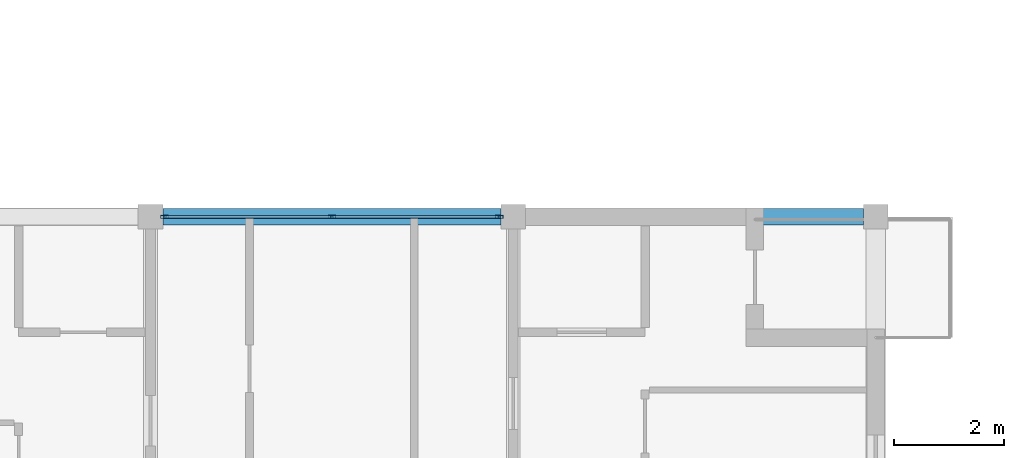
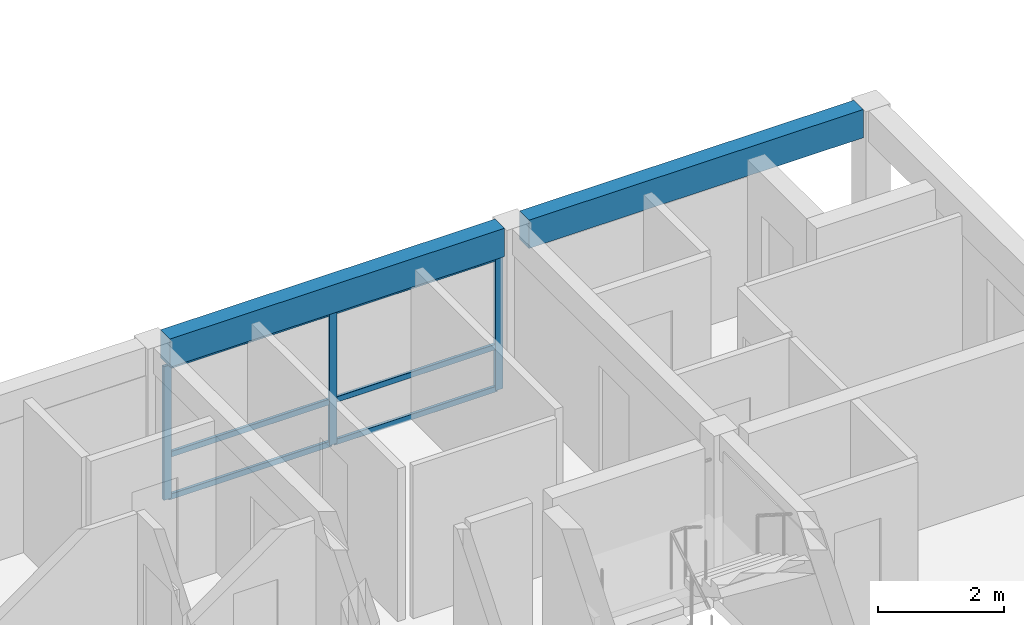
# One storey, part 14 of 53: 9 members, 2 beams, 1 element without a shape of its own.
"""IFC4 building model written with IfcOpenShell, lengths in metres."""

from ifc_helpers import new_model, si_unit, direction, frame, origin, origin_2d, place, context, subcontext, project, spatial, rectangle, hollow_rectangle, extrude, material, material_profile, profile_set, type_object, element, aggregate, save


model = new_model("IFC4")

# Units and contexts
model_context = context("Model", 3, precision=1e-05, world=origin(), true_north=direction((0.0, 1.0)))
body_context = subcontext(model_context, "Body", "Model", "MODEL_VIEW")
ifc_project = project(units=[si_unit("LENGTHUNIT", "METRE"), si_unit("AREAUNIT", "SQUARE_METRE"), si_unit("VOLUMEUNIT", "CUBIC_METRE"), si_unit("PLANEANGLEUNIT", "RADIAN"), si_unit("MASSUNIT", "GRAM", prefix="KILO")], contexts=[model_context])

# Site, building, storey
site_placement = place(None, origin())
site = spatial("IfcSite", under=ifc_project, at=site_placement, CompositionType="ELEMENT")
building_placement = place(site_placement, origin())
building = spatial("IfcBuilding", under=site, at=building_placement, Name="Kernevlak Ridge Housing Community", CompositionType="ELEMENT")
storey_placement = place(building_placement, frame((0.0, 0.0, 24.39990234375)))
storey = spatial("IfcBuildingStorey", under=building, at=storey_placement, Name="L07", CompositionType="ELEMENT", Elevation=24.39990234375)

# Curtain wall, members
ifc_material_1 = material(Name="Aluminium EN AW-6060 anodised and laminated glass", Category="aluminium")
curtain_wall_type = type_object("IfcCurtainWallType", Name="CW-13", PredefinedType="NOTDEFINED", material=ifc_material_1)
curtain_wall_placement = place(storey_placement, origin())
curtain_wall = element("IfcCurtainWall", 1, at=curtain_wall_placement, inside=storey, type_object=curtain_wall_type, Name="Curtain wall CW-13 CW-L07-123", PredefinedType="NOTDEFINED")
ifc_material_2 = material(Name="Aluminium EN AW-6060 anodised", Category="aluminium")
ifc_material_profile_1 = material_profile(ifc_material_2, hollow_rectangle(XDim=0.054931640625, YDim=0.139892578125, WallThickness=0.00390625, InnerFilletRadius=0.001953125, OuterFilletRadius=0.00390625, at=origin_2d()), Name="ALU 55x140x4")
ifc_profile_set_1 = profile_set([ifc_material_profile_1], Name="Aluminium EN AW-6060 anodised")
member_type_1 = type_object("IfcMemberType", Name="MU-01", PredefinedType="MULLION", material=ifc_profile_set_1)
member_1_placement = place(storey_placement, frame((132.8525390625, 42.0, 0.0), z_axis=(0.0, 0.0, 1.0), x_axis=(0.0, 1.0, 0.0)))
member_1 = element("IfcMember", 2, at=member_1_placement, type_object=member_type_1, Name="CW-13 mullion 1", PredefinedType="MULLION", context=body_context, shape_type="SweptSolid", body=[
    extrude(hollow_rectangle(XDim=0.054931640625, YDim=0.139892578125, WallThickness=0.00390625, InnerFilletRadius=0.001953125, OuterFilletRadius=0.00390625, at=origin_2d()), origin(), (0.0, 0.0, 1.0), 2.60009765625),
])
member_2_placement = place(storey_placement, frame((135.89990234375, 42.0, 0.0), z_axis=(0.0, 0.0, 1.0), x_axis=(0.0, 1.0, 0.0)))
member_2 = element("IfcMember", 3, at=member_2_placement, type_object=member_type_1, Name="CW-13 mullion 2", PredefinedType="MULLION", context=body_context, shape_type="SweptSolid", body=[
    extrude(hollow_rectangle(XDim=0.054931640625, YDim=0.139892578125, WallThickness=0.00390625, InnerFilletRadius=0.001953125, OuterFilletRadius=0.00390625, at=origin_2d()), origin(), (0.0, 0.0, 1.0), 2.60009765625),
])
member_3_placement = place(storey_placement, frame((138.947509765625, 42.0, 0.0), z_axis=(0.0, 0.0, 1.0), x_axis=(0.0, 1.0, 0.0)))
member_3 = element("IfcMember", 4, at=member_3_placement, type_object=member_type_1, Name="CW-13 mullion 3", PredefinedType="MULLION", context=body_context, shape_type="SweptSolid", body=[
    extrude(hollow_rectangle(XDim=0.054931640625, YDim=0.139892578125, WallThickness=0.00390625, InnerFilletRadius=0.001953125, OuterFilletRadius=0.00390625, at=origin_2d()), origin(), (0.0, 0.0, 1.0), 2.60009765625),
])

# Beams
ifc_material_3 = material(Name="Concrete C35/45", Category="concrete")
ifc_material_profile_2 = material_profile(ifc_material_3, rectangle(XDim=0.300048828125, YDim=0.550048828125, at=origin_2d()), Name="RC 300x550")
ifc_profile_set_2 = profile_set([ifc_material_profile_2], Name="Concrete C35/45")
beam_type = type_object("IfcBeamType", Name="SP-01", PredefinedType="SPANDREL", material=ifc_profile_set_2)
beam_1_placement = place(storey_placement, frame((132.824951171875, 42.0, 2.925048828125), z_axis=(1.0, 0.0, 0.0), x_axis=(0.0, 1.0, 0.0)))
element("IfcBeam", 5, at=beam_1_placement, inside=storey, type_object=beam_type, Name="Beam SP-01 L07 1176", PredefinedType="SPANDREL", context=body_context, shape_type="SweptSolid", body=[
    extrude(rectangle(XDim=0.300048828125, YDim=0.550048828125, at=origin_2d()), origin(), (0.0, 0.0, 1.0), 6.150146484375),
])
beam_2_placement = place(storey_placement, frame((139.425048828125, 42.0, 2.925048828125), z_axis=(1.0, 0.0, 0.0), x_axis=(0.0, 1.0, 0.0)))
element("IfcBeam", 6, at=beam_2_placement, inside=storey, type_object=beam_type, Name="Beam SP-01 L07 1177", PredefinedType="SPANDREL", context=body_context, shape_type="SweptSolid", body=[
    extrude(rectangle(XDim=0.300048828125, YDim=0.550048828125, at=origin_2d()), origin(), (0.0, 0.0, 1.0), 6.14990234375),
])

# Member
ifc_material_profile_3 = material_profile(ifc_material_2, hollow_rectangle(XDim=0.054931640625, YDim=0.110107421875, WallThickness=0.00390625, InnerFilletRadius=0.001953125, OuterFilletRadius=0.00390625, at=origin_2d()), Name="ALU 55x110x4")
ifc_profile_set_3 = profile_set([ifc_material_profile_3], Name="Aluminium EN AW-6060 anodised")
member_type_2 = type_object("IfcMemberType", Name="TM-01", PredefinedType="USERDEFINED", material=ifc_profile_set_3)
member_4_placement = place(storey_placement, frame((132.8798828125, 42.0, 0.027587890625), z_axis=(1.0, 0.0, 0.0), x_axis=(0.0, 1.0, 0.0)))
member_4 = element("IfcMember", 7, at=member_4_placement, type_object=member_type_2, Name="CW-13 transom 1.1", ObjectType="TRANSOM", PredefinedType="USERDEFINED", context=body_context, shape_type="SweptSolid", body=[
    extrude(hollow_rectangle(XDim=0.054931640625, YDim=0.110107421875, WallThickness=0.00390625, InnerFilletRadius=0.001953125, OuterFilletRadius=0.00390625, at=origin_2d()), origin(), (0.0, 0.0, 1.0), 2.99267578125),
])

member_5_placement = place(storey_placement, frame((132.8798828125, 42.0, 0.85009765625), z_axis=(1.0, 0.0, 0.0), x_axis=(0.0, 1.0, 0.0)))
member_5 = element("IfcMember", 8, at=member_5_placement, type_object=member_type_2, Name="CW-13 transom 1.2", ObjectType="TRANSOM", PredefinedType="USERDEFINED", context=body_context, shape_type="SweptSolid", body=[
    extrude(hollow_rectangle(XDim=0.054931640625, YDim=0.110107421875, WallThickness=0.00390625, InnerFilletRadius=0.001953125, OuterFilletRadius=0.00390625, at=origin_2d()), origin(), (0.0, 0.0, 1.0), 2.99267578125),
])

member_6_placement = place(storey_placement, frame((132.8798828125, 42.0, 2.572509765625), z_axis=(1.0, 0.0, 0.0), x_axis=(0.0, 1.0, 0.0)))
member_6 = element("IfcMember", 9, at=member_6_placement, type_object=member_type_2, Name="CW-13 transom 1.3", ObjectType="TRANSOM", PredefinedType="USERDEFINED", context=body_context, shape_type="SweptSolid", body=[
    extrude(hollow_rectangle(XDim=0.054931640625, YDim=0.110107421875, WallThickness=0.00390625, InnerFilletRadius=0.001953125, OuterFilletRadius=0.00390625, at=origin_2d()), origin(), (0.0, 0.0, 1.0), 2.99267578125),
])

member_7_placement = place(storey_placement, frame((135.927490234375, 42.0, 0.027587890625), z_axis=(1.0, 0.0, 0.0), x_axis=(0.0, 1.0, 0.0)))
member_7 = element("IfcMember", 10, at=member_7_placement, type_object=member_type_2, Name="CW-13 transom 2.1", ObjectType="TRANSOM", PredefinedType="USERDEFINED", context=body_context, shape_type="SweptSolid", body=[
    extrude(hollow_rectangle(XDim=0.054931640625, YDim=0.110107421875, WallThickness=0.00390625, InnerFilletRadius=0.001953125, OuterFilletRadius=0.00390625, at=origin_2d()), origin(), (0.0, 0.0, 1.0), 2.992431640625),
])

member_8_placement = place(storey_placement, frame((135.927490234375, 42.0, 0.85009765625), z_axis=(1.0, 0.0, 0.0), x_axis=(0.0, 1.0, 0.0)))
member_8 = element("IfcMember", 11, at=member_8_placement, type_object=member_type_2, Name="CW-13 transom 2.2", ObjectType="TRANSOM", PredefinedType="USERDEFINED", context=body_context, shape_type="SweptSolid", body=[
    extrude(hollow_rectangle(XDim=0.054931640625, YDim=0.110107421875, WallThickness=0.00390625, InnerFilletRadius=0.001953125, OuterFilletRadius=0.00390625, at=origin_2d()), origin(), (0.0, 0.0, 1.0), 2.992431640625),
])

member_9_placement = place(storey_placement, frame((135.927490234375, 42.0, 2.572509765625), z_axis=(1.0, 0.0, 0.0), x_axis=(0.0, 1.0, 0.0)))
member_9 = element("IfcMember", 12, at=member_9_placement, type_object=member_type_2, Name="CW-13 transom 2.3", ObjectType="TRANSOM", PredefinedType="USERDEFINED", context=body_context, shape_type="SweptSolid", body=[
    extrude(hollow_rectangle(XDim=0.054931640625, YDim=0.110107421875, WallThickness=0.00390625, InnerFilletRadius=0.001953125, OuterFilletRadius=0.00390625, at=origin_2d()), origin(), (0.0, 0.0, 1.0), 2.992431640625),
])

aggregate(curtain_wall, [member_1, member_2, member_3, member_4, member_5, member_6, member_7, member_8, member_9])

save(model, "model.ifc")
